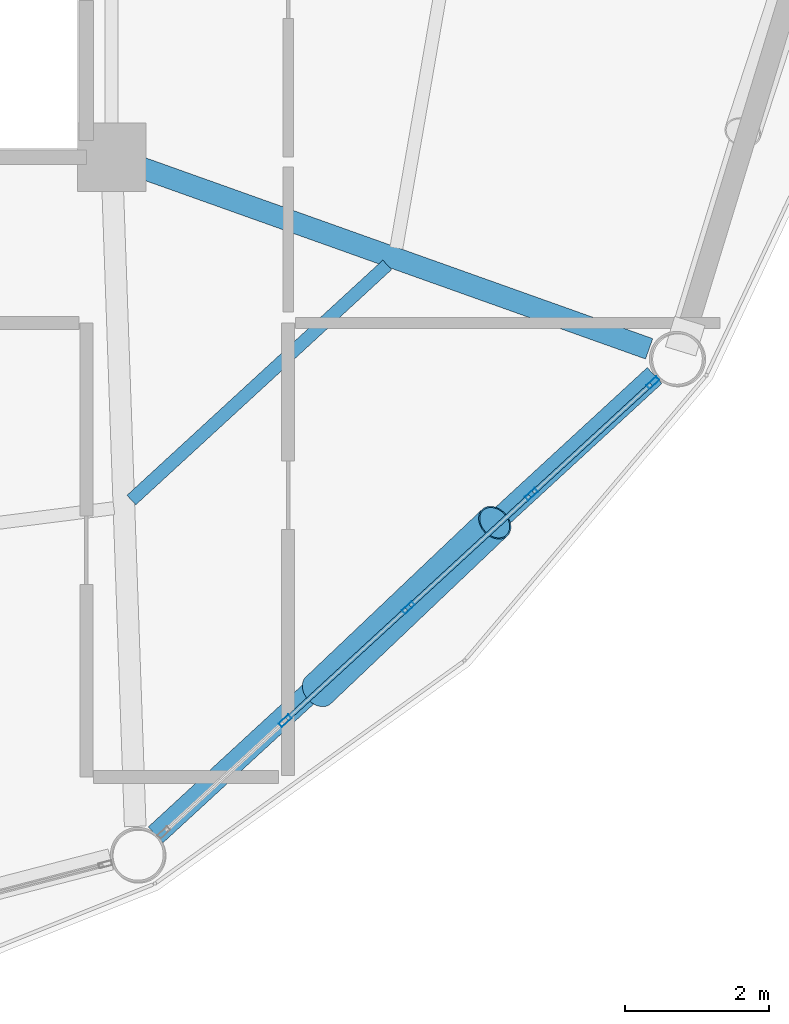
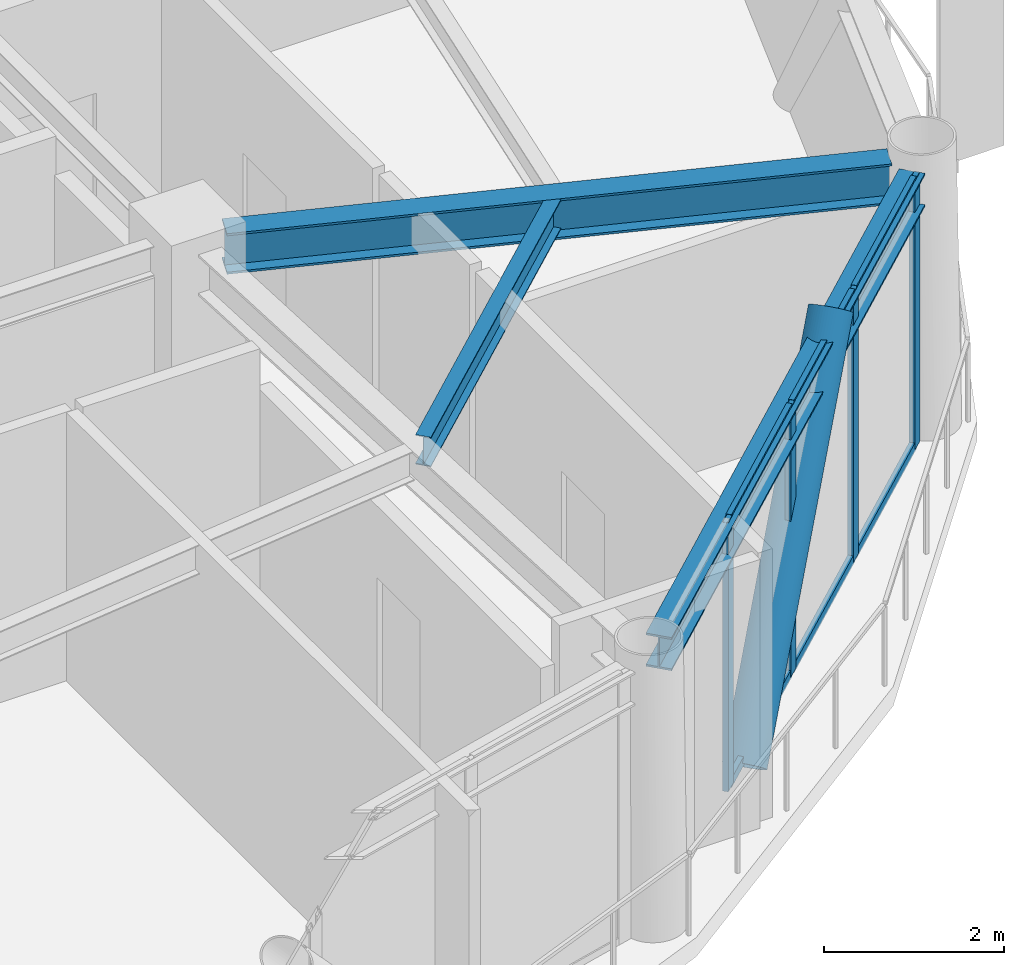
# One storey, part 13 of 24: 11 members, 3 beams, 1 element without a shape of its own.
"""IFC4 building model written with IfcOpenShell, lengths in metres."""

from ifc_helpers import new_model, si_unit, direction, frame, origin, origin_2d, place, context, subcontext, project, spatial, hollow_rectangle, hollow_circle, i_section, extrude, material, layer, layer_set, material_profile, profile_set, type_object, element, aggregate, save


model = new_model("IFC4")

# Units and contexts
model_context = context("Model", 3, precision=1e-05, world=origin(), true_north=direction((0.0, 1.0)))
body_context = subcontext(model_context, "Body", "Model", "MODEL_VIEW")
ifc_project = project(units=[si_unit("LENGTHUNIT", "METRE"), si_unit("AREAUNIT", "SQUARE_METRE"), si_unit("VOLUMEUNIT", "CUBIC_METRE"), si_unit("PLANEANGLEUNIT", "RADIAN"), si_unit("MASSUNIT", "GRAM", prefix="KILO")], contexts=[model_context])

# Site, building, storey
site_placement = place(None, origin())
site = spatial("IfcSite", under=ifc_project, at=site_placement, CompositionType="ELEMENT")
building_placement = place(site_placement, origin())
building = spatial("IfcBuilding", under=site, at=building_placement, Name="Varnakorn Sky Granary", CompositionType="ELEMENT")
storey_placement = place(building_placement, frame((0.0, 0.0, 161.699951171875)))
storey = spatial("IfcBuildingStorey", under=building, at=storey_placement, Name="L40", CompositionType="ELEMENT", Elevation=161.699951171875)

# Beams
ifc_material_1 = material(Name="Steel S355JR", Category="steel")
ifc_material_profile_1 = material_profile(ifc_material_1, i_section(OverallWidth=0.300048828125, OverallDepth=0.550048828125, WebThickness=0.014892578125, FlangeThickness=0.029052734375, at=origin_2d()), Name="HE 550 B")
ifc_profile_set_1 = profile_set([ifc_material_profile_1], Name="Steel S355JR")
beam_type_1 = type_object("IfcBeamType", Name="BM-RAD-Z3", PredefinedType="BEAM", material=ifc_profile_set_1)
beam_1_placement = place(storey_placement, frame((8.74560546875, -6.7412109375, 3.364990234375), z_axis=(0.941930392369, -0.335808183242, 0.0), x_axis=(0.335808183242, 0.941930392369, 0.0)))
element("IfcBeam", 1, at=beam_1_placement, inside=storey, type_object=beam_type_1, Name="Radial Floor Girder RG12 L40", PredefinedType="BEAM", context=body_context, shape_type="SweptSolid", body=[
    extrude(i_section(OverallWidth=0.300048828125, OverallDepth=0.550048828125, WebThickness=0.014892578125, FlangeThickness=0.029052734375, at=origin_2d()), origin(), (0.0, 0.0, 1.0), 7.496337890625),
])
ifc_material_profile_2 = material_profile(ifc_material_1, i_section(OverallWidth=0.179931640625, OverallDepth=0.39990234375, WebThickness=0.008544921875, FlangeThickness=0.013427734375, at=origin_2d()), Name="IPE 400")
ifc_profile_set_2 = profile_set([ifc_material_profile_2], Name="Steel S355JR")
beam_type_2 = type_object("IfcBeamType", Name="BM-SEC-Z3", PredefinedType="BEAM", material=ifc_profile_set_2)
beam_2_placement = place(storey_placement, frame((8.62451171875, -11.356689453125, 3.43994140625), z_axis=(0.736188374921, 0.676776681506, 0.0), x_axis=(-0.676776681506, 0.736188374921, 0.0)))
element("IfcBeam", 2, at=beam_2_placement, inside=storey, type_object=beam_type_2, Name="Secondary Floor Chord Beam MSB11 L40", PredefinedType="BEAM", context=body_context, shape_type="SweptSolid", body=[
    extrude(i_section(OverallWidth=0.179931640625, OverallDepth=0.39990234375, WebThickness=0.008544921875, FlangeThickness=0.013427734375, at=origin_2d()), origin(), (0.0, 0.0, 1.0), 4.8203125),
])
ifc_material_profile_3 = material_profile(ifc_material_1, i_section(OverallWidth=0.300048828125, OverallDepth=0.449951171875, WebThickness=0.013916015625, FlangeThickness=0.02587890625, at=origin_2d()), Name="HE 450 B")
ifc_profile_set_3 = profile_set([ifc_material_profile_3], Name="Steel S355JR")
beam_type_3 = type_object("IfcBeamType", Name="BM-SPD-Z3", PredefinedType="SPANDREL", material=ifc_profile_set_3)
beam_3_placement = place(storey_placement, frame((8.960205078125, -16.001220703125, 3.4150390625), z_axis=(0.735734961575, 0.677269566949, 0.0), x_axis=(-0.677269566949, 0.735734961575, 0.0)))
element("IfcBeam", 3, at=beam_3_placement, inside=storey, type_object=beam_type_3, Name="Perimeter Spandrel Ring Beam RB11 L40", PredefinedType="SPANDREL", context=body_context, shape_type="SweptSolid", body=[
    extrude(i_section(OverallWidth=0.300048828125, OverallDepth=0.449951171875, WebThickness=0.013916015625, FlangeThickness=0.02587890625, at=origin_2d()), origin(), (0.0, 0.0, 1.0), 9.408203125),
])

# Curtain wall, members
ifc_material_2 = material(Name="Anodised Bronze Aluminium Alloy 6063-T6", Category="aluminium")
ifc_layer = layer(ifc_material_2, 0.179931640625, Name="Anodised Bronze Aluminium Alloy 6063-T6")
ifc_layer_set = layer_set([ifc_layer], Name="Anodised Bronze Aluminium Alloy 6063-T6")
curtain_wall_type = type_object("IfcCurtainWallType", Name="CW-FRM-2", PredefinedType="USERDEFINED", material=ifc_layer_set)
curtain_wall_placement = place(storey_placement, origin())
curtain_wall = element("IfcCurtainWall", 4, at=curtain_wall_placement, inside=storey, type_object=curtain_wall_type, Name="Unitised Curtain Wall CW4 CW-L40-B11", ObjectType="CURTAIN WALL", PredefinedType="USERDEFINED")
ifc_material_profile_4 = material_profile(ifc_material_2, hollow_rectangle(XDim=0.070068359375, YDim=0.18505859375, WallThickness=0.00390625, at=origin_2d()), Name="ALU MULL 70x185")
ifc_profile_set_4 = profile_set([ifc_material_profile_4], Name="Anodised Bronze Aluminium Alloy 6063-T6")
member_type_1 = type_object("IfcMemberType", Name="CW-FRM-2-MULL", PredefinedType="MULLION", material=ifc_profile_set_4)
member_1_placement = place(storey_placement, frame((15.858154296875, -9.727294921875, 0.0), z_axis=(0.0, 0.0, 1.0), x_axis=(0.677011277308, -0.735972642425, 0.0)))
member_1 = element("IfcMember", 5, at=member_1_placement, type_object=member_type_1, Name="CW4 mullion 1", PredefinedType="MULLION", context=body_context, shape_type="SweptSolid", body=[
    extrude(hollow_rectangle(XDim=0.070068359375, YDim=0.18505859375, WallThickness=0.00390625, at=origin_2d()), origin(), (0.0, 0.0, 1.0), 3.64013671875),
])
member_2_placement = place(storey_placement, frame((14.175048828125, -11.275634765625, 0.0), z_axis=(0.0, 0.0, 1.0), x_axis=(0.677011277308, -0.735972642425, 0.0)))
member_2 = element("IfcMember", 6, at=member_2_placement, type_object=member_type_1, Name="CW4 mullion 2", PredefinedType="MULLION", context=body_context, shape_type="SweptSolid", body=[
    extrude(hollow_rectangle(XDim=0.070068359375, YDim=0.18505859375, WallThickness=0.00390625, at=origin_2d()), origin(), (0.0, 0.0, 1.0), 3.64013671875),
])
member_3_placement = place(storey_placement, frame((12.46630859375, -12.847412109375, 0.0), z_axis=(0.0, 0.0, 1.0), x_axis=(0.677011277308, -0.735972642425, 0.0)))
member_3 = element("IfcMember", 7, at=member_3_placement, type_object=member_type_1, Name="CW4 mullion 3", PredefinedType="MULLION", context=body_context, shape_type="SweptSolid", body=[
    extrude(hollow_rectangle(XDim=0.070068359375, YDim=0.18505859375, WallThickness=0.00390625, at=origin_2d()), origin(), (0.0, 0.0, 1.0), 3.64013671875),
])
member_4_placement = place(storey_placement, frame((10.75732421875, -14.41943359375, 0.0), z_axis=(0.0, 0.0, 1.0), x_axis=(0.677011277308, -0.735972642425, 0.0)))
member_4 = element("IfcMember", 8, at=member_4_placement, type_object=member_type_1, Name="CW4 mullion 4", PredefinedType="MULLION", context=body_context, shape_type="SweptSolid", body=[
    extrude(hollow_rectangle(XDim=0.070068359375, YDim=0.18505859375, WallThickness=0.00390625, at=origin_2d()), origin(), (0.0, 0.0, 1.0), 3.64013671875),
])
ifc_material_profile_5 = material_profile(ifc_material_2, hollow_rectangle(XDim=0.06494140625, YDim=0.1201171875, WallThickness=0.00341796875, at=origin_2d()), Name="ALU TRAN 65x120")
ifc_profile_set_5 = profile_set([ifc_material_profile_5], Name="Anodised Bronze Aluminium Alloy 6063-T6")
member_type_2 = type_object("IfcMemberType", Name="CW-FRM-2-TRAN", PredefinedType="USERDEFINED", material=ifc_profile_set_5)
member_5_placement = place(storey_placement, frame((15.832275390625, -9.7509765625, 0.032470703125), z_axis=(-0.735955158094, -0.677030283868, 0.0), x_axis=(0.677030283868, -0.735955158094, 0.0)))
member_5 = element("IfcMember", 9, at=member_5_placement, type_object=member_type_2, Name="CW4 transom 1.1", ObjectType="TRANSOM", PredefinedType="USERDEFINED", context=body_context, shape_type="SweptSolid", body=[
    extrude(hollow_rectangle(XDim=0.06494140625, YDim=0.1201171875, WallThickness=0.00341796875, at=origin_2d()), origin(), (0.0, 0.0, 1.0), 2.216552734375),
])
member_6_placement = place(storey_placement, frame((15.832275390625, -9.7509765625, 3.607666015625), z_axis=(-0.735955158094, -0.677030283868, 0.0), x_axis=(0.677030283868, -0.735955158094, 0.0)))
member_6 = element("IfcMember", 10, at=member_6_placement, type_object=member_type_2, Name="CW4 transom 1.2", ObjectType="TRANSOM", PredefinedType="USERDEFINED", context=body_context, shape_type="SweptSolid", body=[
    extrude(hollow_rectangle(XDim=0.06494140625, YDim=0.1201171875, WallThickness=0.00341796875, at=origin_2d()), origin(), (0.0, 0.0, 1.0), 2.216552734375),
])
member_7_placement = place(storey_placement, frame((14.1494140625, -11.29931640625, 0.032470703125), z_axis=(-0.736032560773, -0.676946134845, 0.0), x_axis=(0.676946134845, -0.736032560773, 0.0)))
member_7 = element("IfcMember", 11, at=member_7_placement, type_object=member_type_2, Name="CW4 transom 2.1", ObjectType="TRANSOM", PredefinedType="USERDEFINED", context=body_context, shape_type="SweptSolid", body=[
    extrude(hollow_rectangle(XDim=0.06494140625, YDim=0.1201171875, WallThickness=0.00341796875, at=origin_2d()), origin(), (0.0, 0.0, 1.0), 2.251953125),
])
member_8_placement = place(storey_placement, frame((14.1494140625, -11.29931640625, 3.607666015625), z_axis=(-0.736032560773, -0.676946134845, 0.0), x_axis=(0.676946134845, -0.736032560773, 0.0)))
member_8 = element("IfcMember", 12, at=member_8_placement, type_object=member_type_2, Name="CW4 transom 2.2", ObjectType="TRANSOM", PredefinedType="USERDEFINED", context=body_context, shape_type="SweptSolid", body=[
    extrude(hollow_rectangle(XDim=0.06494140625, YDim=0.1201171875, WallThickness=0.00341796875, at=origin_2d()), origin(), (0.0, 0.0, 1.0), 2.251953125),
])
member_9_placement = place(storey_placement, frame((12.4404296875, -12.87109375, 0.032470703125), z_axis=(-0.735928850951, -0.677058879521, 0.0), x_axis=(0.677058879521, -0.735928850951, 0.0)))
member_9 = element("IfcMember", 13, at=member_9_placement, type_object=member_type_2, Name="CW4 transom 3.1", ObjectType="TRANSOM", PredefinedType="USERDEFINED", context=body_context, shape_type="SweptSolid", body=[
    extrude(hollow_rectangle(XDim=0.06494140625, YDim=0.1201171875, WallThickness=0.00341796875, at=origin_2d()), origin(), (0.0, 0.0, 1.0), 2.251953125),
])
member_10_placement = place(storey_placement, frame((12.4404296875, -12.87109375, 3.607666015625), z_axis=(-0.735928850951, -0.677058879521, 0.0), x_axis=(0.677058879521, -0.735928850951, 0.0)))
member_10 = element("IfcMember", 14, at=member_10_placement, type_object=member_type_2, Name="CW4 transom 3.2", ObjectType="TRANSOM", PredefinedType="USERDEFINED", context=body_context, shape_type="SweptSolid", body=[
    extrude(hollow_rectangle(XDim=0.06494140625, YDim=0.1201171875, WallThickness=0.00341796875, at=origin_2d()), origin(), (0.0, 0.0, 1.0), 2.251953125),
])
aggregate(curtain_wall, [member_1, member_2, member_3, member_4, member_5, member_6, member_7, member_8, member_9, member_10])

# Member
ifc_material_3 = material(Name="Steel S460M", Category="steel")
ifc_material_profile_6 = material_profile(ifc_material_3, hollow_circle(Radius=0.25390625, WallThickness=0.01806640625, at=origin_2d()), Name="CHS 508x18")
ifc_profile_set_6 = profile_set([ifc_material_profile_6], Name="Steel S460M")
member_type_3 = type_object("IfcMemberType", Name="MB-DIAG-T2", PredefinedType="BRACE", material=ifc_profile_set_6)
member_11_placement = place(storey_placement, frame((11.21875, -13.994873046875, -0.1298828125), z_axis=(0.472891431381, 0.449383751921, 0.757910243786), x_axis=(-0.688859751832, 0.724894642211, 0.0)))
element("IfcMember", 15, at=member_11_placement, inside=storey, type_object=member_type_3, Name="Perimeter CHS Diagrid Brace DG11 L40", PredefinedType="BRACE", context=body_context, shape_type="SweptSolid", body=[
    extrude(hollow_circle(Radius=0.25390625, WallThickness=0.01806640625, at=origin_2d()), origin(), (0.0, 0.0, 1.0), 5.172119140625),
])

save(model, "model.ifc")
